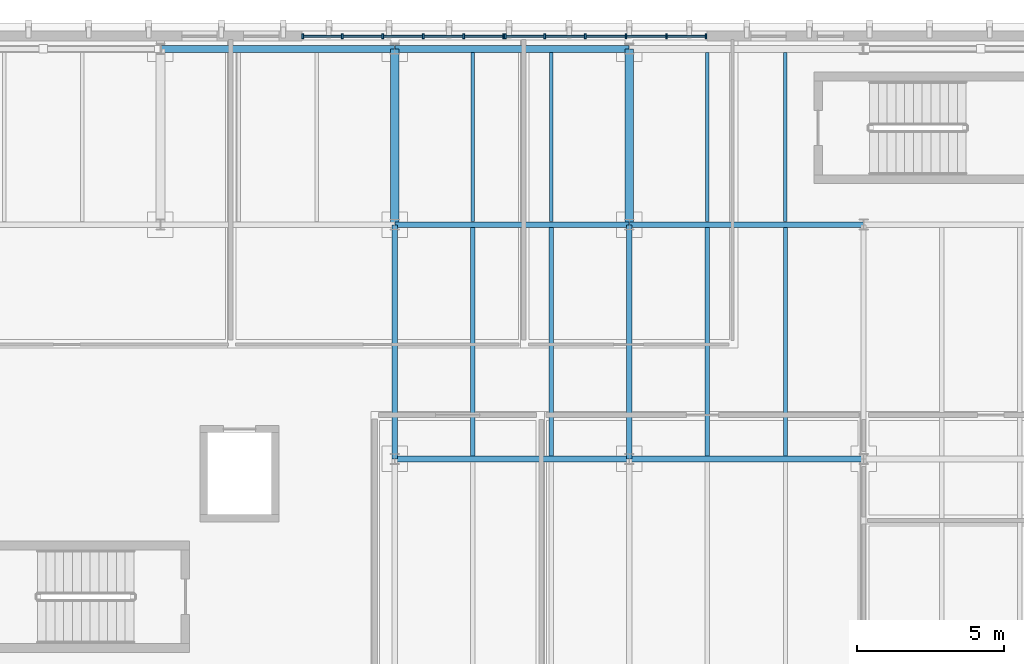
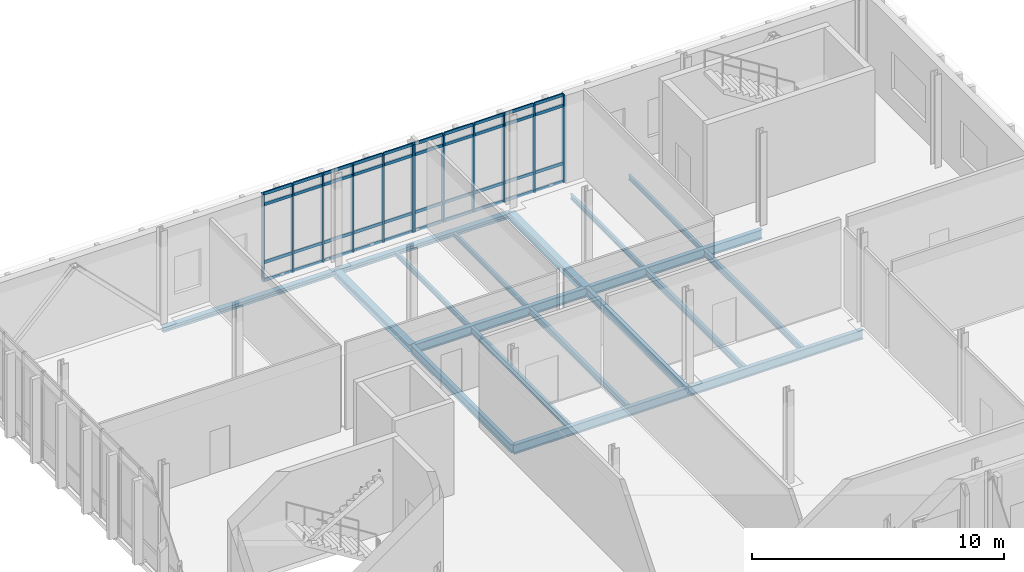
# One storey, part 41 of 100: 52 members, 18 beams, 2 elements without a shape of their own.
"""IFC4 building model written with IfcOpenShell, lengths in metres."""

from ifc_helpers import new_model, si_unit, direction, frame, origin, origin_2d, place, context, subcontext, project, spatial, rectangle, i_section, extrude, material, material_profile, profile_set, type_object, element, aggregate, save


model = new_model("IFC4")

# Units and contexts
model_context = context("Model", 3, precision=1e-05, world=origin(), true_north=direction((0.0, 1.0)))
body_context = subcontext(model_context, "Body", "Model", "MODEL_VIEW")
ifc_project = project(units=[si_unit("LENGTHUNIT", "METRE"), si_unit("AREAUNIT", "SQUARE_METRE"), si_unit("VOLUMEUNIT", "CUBIC_METRE"), si_unit("PLANEANGLEUNIT", "RADIAN"), si_unit("MASSUNIT", "GRAM", prefix="KILO")], contexts=[model_context])

# Site, building, storey
site_placement = place(None, origin())
site = spatial("IfcSite", under=ifc_project, at=site_placement, CompositionType="ELEMENT")
building_placement = place(site_placement, origin())
building = spatial("IfcBuilding", under=site, at=building_placement, Name="Cymarion Research Institute", CompositionType="ELEMENT")
storey_placement = place(building_placement, frame((0.0, 0.0, 9.300048828125)))
storey = spatial("IfcBuildingStorey", under=building, at=storey_placement, Name="L02", CompositionType="ELEMENT", Elevation=9.300048828125)

# Curtain wall, members
ifc_material_1 = material(Name="Anodised aluminium unitised curtain wall with Low-E glazing", Category="aluminium")
curtain_wall_type = type_object("IfcCurtainWallType", Name="UNITISED CURTAIN WALL CW23 6910X4250", PredefinedType="NOTDEFINED", material=ifc_material_1)
curtain_wall_1_placement = place(storey_placement, origin())
curtain_wall_1 = element("IfcCurtainWall", 1, at=curtain_wall_1_placement, inside=storey, type_object=curtain_wall_type, Name="L02 V5 unitised curtain wall CW23 #108", PredefinedType="NOTDEFINED")
ifc_material_2 = material(Name="Anodised aluminium framing", Category="aluminium")
ifc_material_profile_1 = material_profile(ifc_material_2, rectangle(XDim=0.06005859375, YDim=0.179931640625, at=origin_2d()), Name="ALU MULLION 60x180")
ifc_profile_set_1 = profile_set([ifc_material_profile_1], Name="Anodised aluminium framing")
member_type_1 = type_object("IfcMemberType", Name="CURTAIN WALL MULLION ML01 60X180", PredefinedType="MULLION", material=ifc_profile_set_1)
member_1_placement = place(storey_placement, frame((33.221923828125, 115.929931640625, 0.0), z_axis=(0.0, 0.0, 1.0), x_axis=(-1.0, 0.0, 0.0)))
member_1 = element("IfcMember", 2, at=member_1_placement, type_object=member_type_1, Name="CW23 mullion 1", PredefinedType="MULLION", context=body_context, shape_type="SweptSolid", body=[
    extrude(rectangle(XDim=0.06005859375, YDim=0.179931640625, at=origin_2d()), origin(), (0.0, 0.0, 1.0), 4.25),
])
member_2_placement = place(storey_placement, frame((31.869384765625, 115.929931640625, 0.0), z_axis=(0.0, 0.0, 1.0), x_axis=(-1.0, 0.0, 0.0)))
member_2 = element("IfcMember", 3, at=member_2_placement, type_object=member_type_1, Name="CW23 mullion 2", PredefinedType="MULLION", context=body_context, shape_type="SweptSolid", body=[
    extrude(rectangle(XDim=0.06005859375, YDim=0.179931640625, at=origin_2d()), origin(), (0.0, 0.0, 1.0), 4.25),
])
member_3_placement = place(storey_placement, frame((30.48681640625, 115.929931640625, 0.0), z_axis=(0.0, 0.0, 1.0), x_axis=(-1.0, 0.0, 0.0)))
member_3 = element("IfcMember", 4, at=member_3_placement, type_object=member_type_1, Name="CW23 mullion 3", PredefinedType="MULLION", context=body_context, shape_type="SweptSolid", body=[
    extrude(rectangle(XDim=0.06005859375, YDim=0.179931640625, at=origin_2d()), origin(), (0.0, 0.0, 1.0), 4.25),
])
member_4_placement = place(storey_placement, frame((29.104248046875, 115.929931640625, 0.0), z_axis=(0.0, 0.0, 1.0), x_axis=(-1.0, 0.0, 0.0)))
member_4 = element("IfcMember", 5, at=member_4_placement, type_object=member_type_1, Name="CW23 mullion 4", PredefinedType="MULLION", context=body_context, shape_type="SweptSolid", body=[
    extrude(rectangle(XDim=0.06005859375, YDim=0.179931640625, at=origin_2d()), origin(), (0.0, 0.0, 1.0), 4.25),
])
member_5_placement = place(storey_placement, frame((27.7216796875, 115.929931640625, 0.0), z_axis=(0.0, 0.0, 1.0), x_axis=(-1.0, 0.0, 0.0)))
member_5 = element("IfcMember", 6, at=member_5_placement, type_object=member_type_1, Name="CW23 mullion 5", PredefinedType="MULLION", context=body_context, shape_type="SweptSolid", body=[
    extrude(rectangle(XDim=0.06005859375, YDim=0.179931640625, at=origin_2d()), origin(), (0.0, 0.0, 1.0), 4.25),
])
member_6_placement = place(storey_placement, frame((26.368896484375, 115.929931640625, 0.0), z_axis=(0.0, 0.0, 1.0), x_axis=(-1.0, 0.0, 0.0)))
member_6 = element("IfcMember", 7, at=member_6_placement, type_object=member_type_1, Name="CW23 mullion 6", PredefinedType="MULLION", context=body_context, shape_type="SweptSolid", body=[
    extrude(rectangle(XDim=0.06005859375, YDim=0.179931640625, at=origin_2d()), origin(), (0.0, 0.0, 1.0), 4.25),
])

curtain_wall_2_placement = place(storey_placement, origin())
curtain_wall_2 = element("IfcCurtainWall", 8, at=curtain_wall_2_placement, inside=storey, type_object=curtain_wall_type, Name="L02 V5 unitised curtain wall CW23 #109", PredefinedType="NOTDEFINED")
member_7_placement = place(storey_placement, frame((26.30908203125, 115.929931640625, 0.0), z_axis=(0.0, 0.0, 1.0), x_axis=(-1.0, 0.0, 0.0)))
member_7 = element("IfcMember", 9, at=member_7_placement, type_object=member_type_1, Name="CW23 mullion 1", PredefinedType="MULLION", context=body_context, shape_type="SweptSolid", body=[
    extrude(rectangle(XDim=0.06005859375, YDim=0.179931640625, at=origin_2d()), origin(), (0.0, 0.0, 1.0), 4.25),
])
member_8_placement = place(storey_placement, frame((24.956298828125, 115.929931640625, 0.0), z_axis=(0.0, 0.0, 1.0), x_axis=(-1.0, 0.0, 0.0)))
member_8 = element("IfcMember", 10, at=member_8_placement, type_object=member_type_1, Name="CW23 mullion 2", PredefinedType="MULLION", context=body_context, shape_type="SweptSolid", body=[
    extrude(rectangle(XDim=0.06005859375, YDim=0.179931640625, at=origin_2d()), origin(), (0.0, 0.0, 1.0), 4.25),
])
member_9_placement = place(storey_placement, frame((23.57373046875, 115.929931640625, 0.0), z_axis=(0.0, 0.0, 1.0), x_axis=(-1.0, 0.0, 0.0)))
member_9 = element("IfcMember", 11, at=member_9_placement, type_object=member_type_1, Name="CW23 mullion 3", PredefinedType="MULLION", context=body_context, shape_type="SweptSolid", body=[
    extrude(rectangle(XDim=0.06005859375, YDim=0.179931640625, at=origin_2d()), origin(), (0.0, 0.0, 1.0), 4.25),
])
member_10_placement = place(storey_placement, frame((22.191162109375, 115.929931640625, 0.0), z_axis=(0.0, 0.0, 1.0), x_axis=(-1.0, 0.0, 0.0)))
member_10 = element("IfcMember", 12, at=member_10_placement, type_object=member_type_1, Name="CW23 mullion 4", PredefinedType="MULLION", context=body_context, shape_type="SweptSolid", body=[
    extrude(rectangle(XDim=0.06005859375, YDim=0.179931640625, at=origin_2d()), origin(), (0.0, 0.0, 1.0), 4.25),
])
member_11_placement = place(storey_placement, frame((20.80859375, 115.929931640625, 0.0), z_axis=(0.0, 0.0, 1.0), x_axis=(-1.0, 0.0, 0.0)))
member_11 = element("IfcMember", 13, at=member_11_placement, type_object=member_type_1, Name="CW23 mullion 5", PredefinedType="MULLION", context=body_context, shape_type="SweptSolid", body=[
    extrude(rectangle(XDim=0.06005859375, YDim=0.179931640625, at=origin_2d()), origin(), (0.0, 0.0, 1.0), 4.25),
])
member_12_placement = place(storey_placement, frame((19.4560546875, 115.929931640625, 0.0), z_axis=(0.0, 0.0, 1.0), x_axis=(-1.0, 0.0, 0.0)))
member_12 = element("IfcMember", 14, at=member_12_placement, type_object=member_type_1, Name="CW23 mullion 6", PredefinedType="MULLION", context=body_context, shape_type="SweptSolid", body=[
    extrude(rectangle(XDim=0.06005859375, YDim=0.179931640625, at=origin_2d()), origin(), (0.0, 0.0, 1.0), 4.25),
])

# Member
ifc_material_profile_2 = material_profile(ifc_material_2, rectangle(XDim=0.06005859375, YDim=0.14990234375, at=origin_2d()), Name="ALU TRANSOM 60x150")
ifc_profile_set_2 = profile_set([ifc_material_profile_2], Name="Anodised aluminium framing")
member_type_2 = type_object("IfcMemberType", Name="CURTAIN WALL TRANSOM TR01 60X150", PredefinedType="USERDEFINED", material=ifc_profile_set_2)
member_13_placement = place(storey_placement, frame((33.19189453125, 115.929931640625, 0.030029296875), z_axis=(-1.0, 0.0, 0.0), x_axis=(0.0, -1.0, 0.0)))
member_13 = element("IfcMember", 15, at=member_13_placement, type_object=member_type_2, Name="CW23 transom 1.1", ObjectType="TRANSOM", PredefinedType="USERDEFINED", context=body_context, shape_type="SweptSolid", body=[
    extrude(rectangle(XDim=0.06005859375, YDim=0.14990234375, at=origin_2d()), origin(), (0.0, 0.0, 1.0), 1.29248046875),
])

member_14_placement = place(storey_placement, frame((33.19189453125, 115.929931640625, 0.89990234375), z_axis=(-1.0, 0.0, 0.0), x_axis=(0.0, -1.0, 0.0)))
member_14 = element("IfcMember", 16, at=member_14_placement, type_object=member_type_2, Name="CW23 transom 1.2", ObjectType="TRANSOM", PredefinedType="USERDEFINED", context=body_context, shape_type="SweptSolid", body=[
    extrude(rectangle(XDim=0.06005859375, YDim=0.14990234375, at=origin_2d()), origin(), (0.0, 0.0, 1.0), 1.29248046875),
])

member_15_placement = place(storey_placement, frame((33.19189453125, 115.929931640625, 3.699951171875), z_axis=(-1.0, 0.0, 0.0), x_axis=(0.0, -1.0, 0.0)))
member_15 = element("IfcMember", 17, at=member_15_placement, type_object=member_type_2, Name="CW23 transom 1.3", ObjectType="TRANSOM", PredefinedType="USERDEFINED", context=body_context, shape_type="SweptSolid", body=[
    extrude(rectangle(XDim=0.06005859375, YDim=0.14990234375, at=origin_2d()), origin(), (0.0, 0.0, 1.0), 1.29248046875),
])

member_16_placement = place(storey_placement, frame((33.19189453125, 115.929931640625, 4.219970703125), z_axis=(-1.0, 0.0, 0.0), x_axis=(0.0, -1.0, 0.0)))
member_16 = element("IfcMember", 18, at=member_16_placement, type_object=member_type_2, Name="CW23 transom 1.4", ObjectType="TRANSOM", PredefinedType="USERDEFINED", context=body_context, shape_type="SweptSolid", body=[
    extrude(rectangle(XDim=0.06005859375, YDim=0.14990234375, at=origin_2d()), origin(), (0.0, 0.0, 1.0), 1.29248046875),
])

member_17_placement = place(storey_placement, frame((31.83935546875, 115.929931640625, 0.030029296875), z_axis=(-1.0, 0.0, 0.0), x_axis=(0.0, -1.0, 0.0)))
member_17 = element("IfcMember", 19, at=member_17_placement, type_object=member_type_2, Name="CW23 transom 2.1", ObjectType="TRANSOM", PredefinedType="USERDEFINED", context=body_context, shape_type="SweptSolid", body=[
    extrude(rectangle(XDim=0.06005859375, YDim=0.14990234375, at=origin_2d()), origin(), (0.0, 0.0, 1.0), 1.322509765625),
])

member_18_placement = place(storey_placement, frame((31.83935546875, 115.929931640625, 0.89990234375), z_axis=(-1.0, 0.0, 0.0), x_axis=(0.0, -1.0, 0.0)))
member_18 = element("IfcMember", 20, at=member_18_placement, type_object=member_type_2, Name="CW23 transom 2.2", ObjectType="TRANSOM", PredefinedType="USERDEFINED", context=body_context, shape_type="SweptSolid", body=[
    extrude(rectangle(XDim=0.06005859375, YDim=0.14990234375, at=origin_2d()), origin(), (0.0, 0.0, 1.0), 1.322509765625),
])

member_19_placement = place(storey_placement, frame((31.83935546875, 115.929931640625, 3.699951171875), z_axis=(-1.0, 0.0, 0.0), x_axis=(0.0, -1.0, 0.0)))
member_19 = element("IfcMember", 21, at=member_19_placement, type_object=member_type_2, Name="CW23 transom 2.3", ObjectType="TRANSOM", PredefinedType="USERDEFINED", context=body_context, shape_type="SweptSolid", body=[
    extrude(rectangle(XDim=0.06005859375, YDim=0.14990234375, at=origin_2d()), origin(), (0.0, 0.0, 1.0), 1.322509765625),
])

member_20_placement = place(storey_placement, frame((31.83935546875, 115.929931640625, 4.219970703125), z_axis=(-1.0, 0.0, 0.0), x_axis=(0.0, -1.0, 0.0)))
member_20 = element("IfcMember", 22, at=member_20_placement, type_object=member_type_2, Name="CW23 transom 2.4", ObjectType="TRANSOM", PredefinedType="USERDEFINED", context=body_context, shape_type="SweptSolid", body=[
    extrude(rectangle(XDim=0.06005859375, YDim=0.14990234375, at=origin_2d()), origin(), (0.0, 0.0, 1.0), 1.322509765625),
])

member_21_placement = place(storey_placement, frame((30.456787109375, 115.929931640625, 0.030029296875), z_axis=(-1.0, 0.0, 0.0), x_axis=(0.0, -1.0, 0.0)))
member_21 = element("IfcMember", 23, at=member_21_placement, type_object=member_type_2, Name="CW23 transom 3.1", ObjectType="TRANSOM", PredefinedType="USERDEFINED", context=body_context, shape_type="SweptSolid", body=[
    extrude(rectangle(XDim=0.06005859375, YDim=0.14990234375, at=origin_2d()), origin(), (0.0, 0.0, 1.0), 1.322509765625),
])

member_22_placement = place(storey_placement, frame((30.456787109375, 115.929931640625, 0.89990234375), z_axis=(-1.0, 0.0, 0.0), x_axis=(0.0, -1.0, 0.0)))
member_22 = element("IfcMember", 24, at=member_22_placement, type_object=member_type_2, Name="CW23 transom 3.2", ObjectType="TRANSOM", PredefinedType="USERDEFINED", context=body_context, shape_type="SweptSolid", body=[
    extrude(rectangle(XDim=0.06005859375, YDim=0.14990234375, at=origin_2d()), origin(), (0.0, 0.0, 1.0), 1.322509765625),
])

member_23_placement = place(storey_placement, frame((30.456787109375, 115.929931640625, 3.699951171875), z_axis=(-1.0, 0.0, 0.0), x_axis=(0.0, -1.0, 0.0)))
member_23 = element("IfcMember", 25, at=member_23_placement, type_object=member_type_2, Name="CW23 transom 3.3", ObjectType="TRANSOM", PredefinedType="USERDEFINED", context=body_context, shape_type="SweptSolid", body=[
    extrude(rectangle(XDim=0.06005859375, YDim=0.14990234375, at=origin_2d()), origin(), (0.0, 0.0, 1.0), 1.322509765625),
])

member_24_placement = place(storey_placement, frame((30.456787109375, 115.929931640625, 4.219970703125), z_axis=(-1.0, 0.0, 0.0), x_axis=(0.0, -1.0, 0.0)))
member_24 = element("IfcMember", 26, at=member_24_placement, type_object=member_type_2, Name="CW23 transom 3.4", ObjectType="TRANSOM", PredefinedType="USERDEFINED", context=body_context, shape_type="SweptSolid", body=[
    extrude(rectangle(XDim=0.06005859375, YDim=0.14990234375, at=origin_2d()), origin(), (0.0, 0.0, 1.0), 1.322509765625),
])

member_25_placement = place(storey_placement, frame((29.07421875, 115.929931640625, 0.030029296875), z_axis=(-1.0, 0.0, 0.0), x_axis=(0.0, -1.0, 0.0)))
member_25 = element("IfcMember", 27, at=member_25_placement, type_object=member_type_2, Name="CW23 transom 4.1", ObjectType="TRANSOM", PredefinedType="USERDEFINED", context=body_context, shape_type="SweptSolid", body=[
    extrude(rectangle(XDim=0.06005859375, YDim=0.14990234375, at=origin_2d()), origin(), (0.0, 0.0, 1.0), 1.322509765625),
])

member_26_placement = place(storey_placement, frame((29.07421875, 115.929931640625, 0.89990234375), z_axis=(-1.0, 0.0, 0.0), x_axis=(0.0, -1.0, 0.0)))
member_26 = element("IfcMember", 28, at=member_26_placement, type_object=member_type_2, Name="CW23 transom 4.2", ObjectType="TRANSOM", PredefinedType="USERDEFINED", context=body_context, shape_type="SweptSolid", body=[
    extrude(rectangle(XDim=0.06005859375, YDim=0.14990234375, at=origin_2d()), origin(), (0.0, 0.0, 1.0), 1.322509765625),
])

member_27_placement = place(storey_placement, frame((29.07421875, 115.929931640625, 3.699951171875), z_axis=(-1.0, 0.0, 0.0), x_axis=(0.0, -1.0, 0.0)))
member_27 = element("IfcMember", 29, at=member_27_placement, type_object=member_type_2, Name="CW23 transom 4.3", ObjectType="TRANSOM", PredefinedType="USERDEFINED", context=body_context, shape_type="SweptSolid", body=[
    extrude(rectangle(XDim=0.06005859375, YDim=0.14990234375, at=origin_2d()), origin(), (0.0, 0.0, 1.0), 1.322509765625),
])

member_28_placement = place(storey_placement, frame((29.07421875, 115.929931640625, 4.219970703125), z_axis=(-1.0, 0.0, 0.0), x_axis=(0.0, -1.0, 0.0)))
member_28 = element("IfcMember", 30, at=member_28_placement, type_object=member_type_2, Name="CW23 transom 4.4", ObjectType="TRANSOM", PredefinedType="USERDEFINED", context=body_context, shape_type="SweptSolid", body=[
    extrude(rectangle(XDim=0.06005859375, YDim=0.14990234375, at=origin_2d()), origin(), (0.0, 0.0, 1.0), 1.322509765625),
])

member_29_placement = place(storey_placement, frame((27.691650390625, 115.929931640625, 0.030029296875), z_axis=(-1.0, 0.0, 0.0), x_axis=(0.0, -1.0, 0.0)))
member_29 = element("IfcMember", 31, at=member_29_placement, type_object=member_type_2, Name="CW23 transom 5.1", ObjectType="TRANSOM", PredefinedType="USERDEFINED", context=body_context, shape_type="SweptSolid", body=[
    extrude(rectangle(XDim=0.06005859375, YDim=0.14990234375, at=origin_2d()), origin(), (0.0, 0.0, 1.0), 1.292724609375),
])

member_30_placement = place(storey_placement, frame((27.691650390625, 115.929931640625, 0.89990234375), z_axis=(-1.0, 0.0, 0.0), x_axis=(0.0, -1.0, 0.0)))
member_30 = element("IfcMember", 32, at=member_30_placement, type_object=member_type_2, Name="CW23 transom 5.2", ObjectType="TRANSOM", PredefinedType="USERDEFINED", context=body_context, shape_type="SweptSolid", body=[
    extrude(rectangle(XDim=0.06005859375, YDim=0.14990234375, at=origin_2d()), origin(), (0.0, 0.0, 1.0), 1.292724609375),
])

member_31_placement = place(storey_placement, frame((27.691650390625, 115.929931640625, 3.699951171875), z_axis=(-1.0, 0.0, 0.0), x_axis=(0.0, -1.0, 0.0)))
member_31 = element("IfcMember", 33, at=member_31_placement, type_object=member_type_2, Name="CW23 transom 5.3", ObjectType="TRANSOM", PredefinedType="USERDEFINED", context=body_context, shape_type="SweptSolid", body=[
    extrude(rectangle(XDim=0.06005859375, YDim=0.14990234375, at=origin_2d()), origin(), (0.0, 0.0, 1.0), 1.292724609375),
])

member_32_placement = place(storey_placement, frame((27.691650390625, 115.929931640625, 4.219970703125), z_axis=(-1.0, 0.0, 0.0), x_axis=(0.0, -1.0, 0.0)))
member_32 = element("IfcMember", 34, at=member_32_placement, type_object=member_type_2, Name="CW23 transom 5.4", ObjectType="TRANSOM", PredefinedType="USERDEFINED", context=body_context, shape_type="SweptSolid", body=[
    extrude(rectangle(XDim=0.06005859375, YDim=0.14990234375, at=origin_2d()), origin(), (0.0, 0.0, 1.0), 1.292724609375),
])

aggregate(curtain_wall_1, [member_1, member_2, member_3, member_4, member_5, member_6, member_13, member_14, member_15, member_16, member_17, member_18, member_19, member_20, member_21, member_22, member_23, member_24, member_25, member_26, member_27, member_28, member_29, member_30, member_31, member_32])

member_33_placement = place(storey_placement, frame((26.279052734375, 115.929931640625, 0.030029296875), z_axis=(-1.0, 0.0, 0.0), x_axis=(0.0, -1.0, 0.0)))
member_33 = element("IfcMember", 35, at=member_33_placement, type_object=member_type_2, Name="CW23 transom 1.1", ObjectType="TRANSOM", PredefinedType="USERDEFINED", context=body_context, shape_type="SweptSolid", body=[
    extrude(rectangle(XDim=0.06005859375, YDim=0.14990234375, at=origin_2d()), origin(), (0.0, 0.0, 1.0), 1.292724609375),
])

member_34_placement = place(storey_placement, frame((26.279052734375, 115.929931640625, 0.89990234375), z_axis=(-1.0, 0.0, 0.0), x_axis=(0.0, -1.0, 0.0)))
member_34 = element("IfcMember", 36, at=member_34_placement, type_object=member_type_2, Name="CW23 transom 1.2", ObjectType="TRANSOM", PredefinedType="USERDEFINED", context=body_context, shape_type="SweptSolid", body=[
    extrude(rectangle(XDim=0.06005859375, YDim=0.14990234375, at=origin_2d()), origin(), (0.0, 0.0, 1.0), 1.292724609375),
])

member_35_placement = place(storey_placement, frame((26.279052734375, 115.929931640625, 3.699951171875), z_axis=(-1.0, 0.0, 0.0), x_axis=(0.0, -1.0, 0.0)))
member_35 = element("IfcMember", 37, at=member_35_placement, type_object=member_type_2, Name="CW23 transom 1.3", ObjectType="TRANSOM", PredefinedType="USERDEFINED", context=body_context, shape_type="SweptSolid", body=[
    extrude(rectangle(XDim=0.06005859375, YDim=0.14990234375, at=origin_2d()), origin(), (0.0, 0.0, 1.0), 1.292724609375),
])

member_36_placement = place(storey_placement, frame((26.279052734375, 115.929931640625, 4.219970703125), z_axis=(-1.0, 0.0, 0.0), x_axis=(0.0, -1.0, 0.0)))
member_36 = element("IfcMember", 38, at=member_36_placement, type_object=member_type_2, Name="CW23 transom 1.4", ObjectType="TRANSOM", PredefinedType="USERDEFINED", context=body_context, shape_type="SweptSolid", body=[
    extrude(rectangle(XDim=0.06005859375, YDim=0.14990234375, at=origin_2d()), origin(), (0.0, 0.0, 1.0), 1.292724609375),
])

member_37_placement = place(storey_placement, frame((24.926513671875, 115.929931640625, 0.030029296875), z_axis=(-1.0, 0.0, 0.0), x_axis=(0.0, -1.0, 0.0)))
member_37 = element("IfcMember", 39, at=member_37_placement, type_object=member_type_2, Name="CW23 transom 2.1", ObjectType="TRANSOM", PredefinedType="USERDEFINED", context=body_context, shape_type="SweptSolid", body=[
    extrude(rectangle(XDim=0.06005859375, YDim=0.14990234375, at=origin_2d()), origin(), (0.0, 0.0, 1.0), 1.32275390625),
])

member_38_placement = place(storey_placement, frame((24.926513671875, 115.929931640625, 0.89990234375), z_axis=(-1.0, 0.0, 0.0), x_axis=(0.0, -1.0, 0.0)))
member_38 = element("IfcMember", 40, at=member_38_placement, type_object=member_type_2, Name="CW23 transom 2.2", ObjectType="TRANSOM", PredefinedType="USERDEFINED", context=body_context, shape_type="SweptSolid", body=[
    extrude(rectangle(XDim=0.06005859375, YDim=0.14990234375, at=origin_2d()), origin(), (0.0, 0.0, 1.0), 1.32275390625),
])

member_39_placement = place(storey_placement, frame((24.926513671875, 115.929931640625, 3.699951171875), z_axis=(-1.0, 0.0, 0.0), x_axis=(0.0, -1.0, 0.0)))
member_39 = element("IfcMember", 41, at=member_39_placement, type_object=member_type_2, Name="CW23 transom 2.3", ObjectType="TRANSOM", PredefinedType="USERDEFINED", context=body_context, shape_type="SweptSolid", body=[
    extrude(rectangle(XDim=0.06005859375, YDim=0.14990234375, at=origin_2d()), origin(), (0.0, 0.0, 1.0), 1.32275390625),
])

member_40_placement = place(storey_placement, frame((24.926513671875, 115.929931640625, 4.219970703125), z_axis=(-1.0, 0.0, 0.0), x_axis=(0.0, -1.0, 0.0)))
member_40 = element("IfcMember", 42, at=member_40_placement, type_object=member_type_2, Name="CW23 transom 2.4", ObjectType="TRANSOM", PredefinedType="USERDEFINED", context=body_context, shape_type="SweptSolid", body=[
    extrude(rectangle(XDim=0.06005859375, YDim=0.14990234375, at=origin_2d()), origin(), (0.0, 0.0, 1.0), 1.32275390625),
])

member_41_placement = place(storey_placement, frame((23.543701171875, 115.929931640625, 0.030029296875), z_axis=(-1.0, 0.0, 0.0), x_axis=(0.0, -1.0, 0.0)))
member_41 = element("IfcMember", 43, at=member_41_placement, type_object=member_type_2, Name="CW23 transom 3.1", ObjectType="TRANSOM", PredefinedType="USERDEFINED", context=body_context, shape_type="SweptSolid", body=[
    extrude(rectangle(XDim=0.06005859375, YDim=0.14990234375, at=origin_2d()), origin(), (0.0, 0.0, 1.0), 1.322509765625),
])

member_42_placement = place(storey_placement, frame((23.543701171875, 115.929931640625, 0.89990234375), z_axis=(-1.0, 0.0, 0.0), x_axis=(0.0, -1.0, 0.0)))
member_42 = element("IfcMember", 44, at=member_42_placement, type_object=member_type_2, Name="CW23 transom 3.2", ObjectType="TRANSOM", PredefinedType="USERDEFINED", context=body_context, shape_type="SweptSolid", body=[
    extrude(rectangle(XDim=0.06005859375, YDim=0.14990234375, at=origin_2d()), origin(), (0.0, 0.0, 1.0), 1.322509765625),
])

member_43_placement = place(storey_placement, frame((23.543701171875, 115.929931640625, 3.699951171875), z_axis=(-1.0, 0.0, 0.0), x_axis=(0.0, -1.0, 0.0)))
member_43 = element("IfcMember", 45, at=member_43_placement, type_object=member_type_2, Name="CW23 transom 3.3", ObjectType="TRANSOM", PredefinedType="USERDEFINED", context=body_context, shape_type="SweptSolid", body=[
    extrude(rectangle(XDim=0.06005859375, YDim=0.14990234375, at=origin_2d()), origin(), (0.0, 0.0, 1.0), 1.322509765625),
])

member_44_placement = place(storey_placement, frame((23.543701171875, 115.929931640625, 4.219970703125), z_axis=(-1.0, 0.0, 0.0), x_axis=(0.0, -1.0, 0.0)))
member_44 = element("IfcMember", 46, at=member_44_placement, type_object=member_type_2, Name="CW23 transom 3.4", ObjectType="TRANSOM", PredefinedType="USERDEFINED", context=body_context, shape_type="SweptSolid", body=[
    extrude(rectangle(XDim=0.06005859375, YDim=0.14990234375, at=origin_2d()), origin(), (0.0, 0.0, 1.0), 1.322509765625),
])

member_45_placement = place(storey_placement, frame((22.1611328125, 115.929931640625, 0.030029296875), z_axis=(-1.0, 0.0, 0.0), x_axis=(0.0, -1.0, 0.0)))
member_45 = element("IfcMember", 47, at=member_45_placement, type_object=member_type_2, Name="CW23 transom 4.1", ObjectType="TRANSOM", PredefinedType="USERDEFINED", context=body_context, shape_type="SweptSolid", body=[
    extrude(rectangle(XDim=0.06005859375, YDim=0.14990234375, at=origin_2d()), origin(), (0.0, 0.0, 1.0), 1.322509765625),
])

member_46_placement = place(storey_placement, frame((22.1611328125, 115.929931640625, 0.89990234375), z_axis=(-1.0, 0.0, 0.0), x_axis=(0.0, -1.0, 0.0)))
member_46 = element("IfcMember", 48, at=member_46_placement, type_object=member_type_2, Name="CW23 transom 4.2", ObjectType="TRANSOM", PredefinedType="USERDEFINED", context=body_context, shape_type="SweptSolid", body=[
    extrude(rectangle(XDim=0.06005859375, YDim=0.14990234375, at=origin_2d()), origin(), (0.0, 0.0, 1.0), 1.322509765625),
])

member_47_placement = place(storey_placement, frame((22.1611328125, 115.929931640625, 3.699951171875), z_axis=(-1.0, 0.0, 0.0), x_axis=(0.0, -1.0, 0.0)))
member_47 = element("IfcMember", 49, at=member_47_placement, type_object=member_type_2, Name="CW23 transom 4.3", ObjectType="TRANSOM", PredefinedType="USERDEFINED", context=body_context, shape_type="SweptSolid", body=[
    extrude(rectangle(XDim=0.06005859375, YDim=0.14990234375, at=origin_2d()), origin(), (0.0, 0.0, 1.0), 1.322509765625),
])

member_48_placement = place(storey_placement, frame((22.1611328125, 115.929931640625, 4.219970703125), z_axis=(-1.0, 0.0, 0.0), x_axis=(0.0, -1.0, 0.0)))
member_48 = element("IfcMember", 50, at=member_48_placement, type_object=member_type_2, Name="CW23 transom 4.4", ObjectType="TRANSOM", PredefinedType="USERDEFINED", context=body_context, shape_type="SweptSolid", body=[
    extrude(rectangle(XDim=0.06005859375, YDim=0.14990234375, at=origin_2d()), origin(), (0.0, 0.0, 1.0), 1.322509765625),
])

member_49_placement = place(storey_placement, frame((20.778564453125, 115.929931640625, 0.030029296875), z_axis=(-1.0, 0.0, 0.0), x_axis=(0.0, -1.0, 0.0)))
member_49 = element("IfcMember", 51, at=member_49_placement, type_object=member_type_2, Name="CW23 transom 5.1", ObjectType="TRANSOM", PredefinedType="USERDEFINED", context=body_context, shape_type="SweptSolid", body=[
    extrude(rectangle(XDim=0.06005859375, YDim=0.14990234375, at=origin_2d()), origin(), (0.0, 0.0, 1.0), 1.29248046875),
])

member_50_placement = place(storey_placement, frame((20.778564453125, 115.929931640625, 0.89990234375), z_axis=(-1.0, 0.0, 0.0), x_axis=(0.0, -1.0, 0.0)))
member_50 = element("IfcMember", 52, at=member_50_placement, type_object=member_type_2, Name="CW23 transom 5.2", ObjectType="TRANSOM", PredefinedType="USERDEFINED", context=body_context, shape_type="SweptSolid", body=[
    extrude(rectangle(XDim=0.06005859375, YDim=0.14990234375, at=origin_2d()), origin(), (0.0, 0.0, 1.0), 1.29248046875),
])

member_51_placement = place(storey_placement, frame((20.778564453125, 115.929931640625, 3.699951171875), z_axis=(-1.0, 0.0, 0.0), x_axis=(0.0, -1.0, 0.0)))
member_51 = element("IfcMember", 53, at=member_51_placement, type_object=member_type_2, Name="CW23 transom 5.3", ObjectType="TRANSOM", PredefinedType="USERDEFINED", context=body_context, shape_type="SweptSolid", body=[
    extrude(rectangle(XDim=0.06005859375, YDim=0.14990234375, at=origin_2d()), origin(), (0.0, 0.0, 1.0), 1.29248046875),
])

member_52_placement = place(storey_placement, frame((20.778564453125, 115.929931640625, 4.219970703125), z_axis=(-1.0, 0.0, 0.0), x_axis=(0.0, -1.0, 0.0)))
member_52 = element("IfcMember", 54, at=member_52_placement, type_object=member_type_2, Name="CW23 transom 5.4", ObjectType="TRANSOM", PredefinedType="USERDEFINED", context=body_context, shape_type="SweptSolid", body=[
    extrude(rectangle(XDim=0.06005859375, YDim=0.14990234375, at=origin_2d()), origin(), (0.0, 0.0, 1.0), 1.29248046875),
])

aggregate(curtain_wall_2, [member_7, member_8, member_9, member_10, member_11, member_12, member_33, member_34, member_35, member_36, member_37, member_38, member_39, member_40, member_41, member_42, member_43, member_44, member_45, member_46, member_47, member_48, member_49, member_50, member_51, member_52])

# Beams
ifc_material_3 = material(Name="Steel S355", Category="steel")
ifc_material_profile_3 = material_profile(ifc_material_3, i_section(OverallWidth=0.18994140625, OverallDepth=0.449951171875, WebThickness=0.009521484375, FlangeThickness=0.0146484375, FilletRadius=0.02099609375, at=origin_2d()), Name="IPE 450")
ifc_profile_set_3 = profile_set([ifc_material_profile_3], Name="Steel S355")
beam_type_1 = type_object("IfcBeamType", Name="PRIMARY GIRDER BM04 IPE 450", PredefinedType="BEAM", material=ifc_profile_set_3)
for number, where, z_axis, x_axis, name in (
    (55, (22.60595703125, 101.5, -0.47509765625), (1.0, 0.0, 0.0), (0.0, 1.0, 0.0), "L02 V5 girder BM04 #1109"),
    (56, (30.60595703125, 101.5, -0.47509765625), (1.0, 0.0, 0.0), (0.0, 1.0, 0.0), "L02 V5 girder BM04 #1110"),
    (57, (22.60595703125, 109.5, -0.47509765625), (1.0, 0.0, 0.0), (0.0, 1.0, 0.0), "L02 V5 girder BM04 #1114"),
    (58, (30.60595703125, 109.5, -0.47509765625), (1.0, 0.0, 0.0), (0.0, 1.0, 0.0), "L02 V5 girder BM04 #1115"),
):
    element("IfcBeam", number, at=place(storey_placement, frame(where, z_axis=z_axis, x_axis=x_axis)), inside=storey, type_object=beam_type_1, Name=name, PredefinedType="BEAM", context=body_context, shape_type="SweptSolid", body=[
        extrude(i_section(OverallWidth=0.18994140625, OverallDepth=0.449951171875, WebThickness=0.009521484375, FlangeThickness=0.0146484375, FilletRadius=0.02099609375, at=origin_2d()), origin(), (0.0, 0.0, 1.0), 7.988037109375),
    ])
ifc_material_profile_4 = material_profile(ifc_material_3, i_section(OverallWidth=0.179931640625, OverallDepth=0.39990234375, WebThickness=0.008544921875, FlangeThickness=0.013427734375, FilletRadius=0.02099609375, at=origin_2d()), Name="IPE 400")
ifc_profile_set_4 = profile_set([ifc_material_profile_4], Name="Steel S355")
beam_type_2 = type_object("IfcBeamType", Name="PRIMARY GIRDER BM05 IPE 400", PredefinedType="BEAM", material=ifc_profile_set_4)
for number, where, z_axis, x_axis, name in (
    (59, (22.60009765625, 101.506103515625, -0.449951171875), (0.0, 1.0, 0.0), (-1.0, 0.0, 0.0), "L02 V5 girder BM05 #1130"),
    (60, (30.60009765625, 101.506103515625, -0.449951171875), (0.0, 1.0, 0.0), (-1.0, 0.0, 0.0), "L02 V5 girder BM05 #1134"),
):
    element("IfcBeam", number, at=place(storey_placement, frame(where, z_axis=z_axis, x_axis=x_axis)), inside=storey, type_object=beam_type_2, Name=name, PredefinedType="BEAM", context=body_context, shape_type="SweptSolid", body=[
        extrude(i_section(OverallWidth=0.179931640625, OverallDepth=0.39990234375, WebThickness=0.008544921875, FlangeThickness=0.013427734375, FilletRadius=0.02099609375, at=origin_2d()), origin(), (0.0, 0.0, 1.0), 7.98779296875),
    ])
ifc_material_profile_5 = material_profile(ifc_material_3, i_section(OverallWidth=0.300048828125, OverallDepth=0.35009765625, WebThickness=0.010009765625, FlangeThickness=0.017578125, FilletRadius=0.027099609375, at=origin_2d()), Name="HEA 360")
ifc_profile_set_5 = profile_set([ifc_material_profile_5], Name="Steel S355")
beam_type_3 = type_object("IfcBeamType", Name="PRIMARY GIRDER BM12 HEA 360", PredefinedType="BEAM", material=ifc_profile_set_5)
for number, where, z_axis, x_axis, name in (
    (61, (22.60009765625, 109.506103515625, -0.425048828125), (0.0, 1.0, 0.0), (-1.0, 0.0, 0.0), "L02 V5 girder BM12 #1131"),
    (62, (30.60009765625, 109.506103515625, -0.425048828125), (0.0, 1.0, 0.0), (-1.0, 0.0, 0.0), "L02 V5 girder BM12 #1135"),
):
    element("IfcBeam", number, at=place(storey_placement, frame(where, z_axis=z_axis, x_axis=x_axis)), inside=storey, type_object=beam_type_3, Name=name, PredefinedType="BEAM", context=body_context, shape_type="SweptSolid", body=[
        extrude(i_section(OverallWidth=0.300048828125, OverallDepth=0.35009765625, WebThickness=0.010009765625, FlangeThickness=0.017578125, FilletRadius=0.027099609375, at=origin_2d()), origin(), (0.0, 0.0, 1.0), 5.98779296875),
    ])
ifc_material_profile_6 = material_profile(ifc_material_3, i_section(OverallWidth=0.14990234375, OverallDepth=0.300048828125, WebThickness=0.007080078125, FlangeThickness=0.0107421875, FilletRadius=0.014892578125, at=origin_2d()), Name="IPE 300")
ifc_profile_set_6 = profile_set([ifc_material_profile_6], Name="Steel S355")
beam_type_4 = type_object("IfcBeamType", Name="SECONDARY JOIST JS02 IPE 300", PredefinedType="JOIST", material=ifc_profile_set_6)
for number, where, z_axis, x_axis, name in (
    (63, (25.2666015625, 101.59912109375, -0.400146484375), (0.0, 1.0, 0.0), (-1.0, 0.0, 0.0), "L02 V5 secondary joist JS02 #1154"),
    (64, (27.933349609375, 101.59912109375, -0.400146484375), (0.0, 1.0, 0.0), (-1.0, 0.0, 0.0), "L02 V5 secondary joist JS02 #1155"),
    (65, (33.2666015625, 101.59912109375, -0.400146484375), (0.0, 1.0, 0.0), (-1.0, 0.0, 0.0), "L02 V5 secondary joist JS02 #1156"),
    (66, (35.933349609375, 101.59912109375, -0.400146484375), (0.0, 1.0, 0.0), (-1.0, 0.0, 0.0), "L02 V5 secondary joist JS02 #1157"),
):
    element("IfcBeam", number, at=place(storey_placement, frame(where, z_axis=z_axis, x_axis=x_axis)), inside=storey, type_object=beam_type_4, Name=name, PredefinedType="JOIST", context=body_context, shape_type="SweptSolid", body=[
        extrude(i_section(OverallWidth=0.14990234375, OverallDepth=0.300048828125, WebThickness=0.007080078125, FlangeThickness=0.0107421875, FilletRadius=0.014892578125, at=origin_2d()), origin(), (0.0, 0.0, 1.0), 7.8017578125),
    ])
ifc_material_profile_7 = material_profile(ifc_material_3, i_section(OverallWidth=0.1201171875, OverallDepth=0.239990234375, WebThickness=0.006103515625, FlangeThickness=0.009765625, FilletRadius=0.014892578125, at=origin_2d()), Name="IPE 240")
ifc_profile_set_7 = profile_set([ifc_material_profile_7], Name="Steel S355")
beam_type_5 = type_object("IfcBeamType", Name="SECONDARY JOIST JS04 IPE 240", PredefinedType="JOIST", material=ifc_profile_set_7)
for number, where, z_axis, x_axis, name in (
    (67, (25.2666015625, 109.59912109375, -0.3701171875), (0.0, 1.0, 0.0), (-1.0, 0.0, 0.0), "L02 V5 secondary joist JS04 #1164"),
    (68, (27.933349609375, 109.59912109375, -0.3701171875), (0.0, 1.0, 0.0), (-1.0, 0.0, 0.0), "L02 V5 secondary joist JS04 #1165"),
    (69, (33.2666015625, 109.59912109375, -0.3701171875), (0.0, 1.0, 0.0), (-1.0, 0.0, 0.0), "L02 V5 secondary joist JS04 #1166"),
    (70, (35.933349609375, 109.59912109375, -0.3701171875), (0.0, 1.0, 0.0), (-1.0, 0.0, 0.0), "L02 V5 secondary joist JS04 #1167"),
):
    element("IfcBeam", number, at=place(storey_placement, frame(where, z_axis=z_axis, x_axis=x_axis)), inside=storey, type_object=beam_type_5, Name=name, PredefinedType="JOIST", context=body_context, shape_type="SweptSolid", body=[
        extrude(i_section(OverallWidth=0.1201171875, OverallDepth=0.239990234375, WebThickness=0.006103515625, FlangeThickness=0.009765625, FilletRadius=0.014892578125, at=origin_2d()), origin(), (0.0, 0.0, 1.0), 5.77685546875),
    ])
ifc_material_profile_8 = material_profile(ifc_material_3, i_section(OverallWidth=0.239990234375, OverallDepth=0.22998046875, WebThickness=0.007568359375, FlangeThickness=0.011962890625, FilletRadius=0.02099609375, at=origin_2d()), Name="HEA 240")
ifc_profile_set_8 = profile_set([ifc_material_profile_8], Name="Steel S355")
beam_type_6 = type_object("IfcBeamType", Name="SPANDREL BEAM SPB03 HEA 240", PredefinedType="SPANDREL", material=ifc_profile_set_8)
for number, where, z_axis, x_axis, name in (
    (71, (14.60595703125, 115.5, -0.364990234375), (1.0, 0.0, 0.0), (0.0, 1.0, 0.0), "L02 V5 girder SPB03 #1118"),
    (72, (22.60595703125, 115.5, -0.364990234375), (1.0, 0.0, 0.0), (0.0, 1.0, 0.0), "L02 V5 girder SPB03 #1119"),
):
    element("IfcBeam", number, at=place(storey_placement, frame(where, z_axis=z_axis, x_axis=x_axis)), inside=storey, type_object=beam_type_6, Name=name, PredefinedType="SPANDREL", context=body_context, shape_type="SweptSolid", body=[
        extrude(i_section(OverallWidth=0.239990234375, OverallDepth=0.22998046875, WebThickness=0.007568359375, FlangeThickness=0.011962890625, FilletRadius=0.02099609375, at=origin_2d()), origin(), (0.0, 0.0, 1.0), 7.988037109375),
    ])

save(model, "model.ifc")
